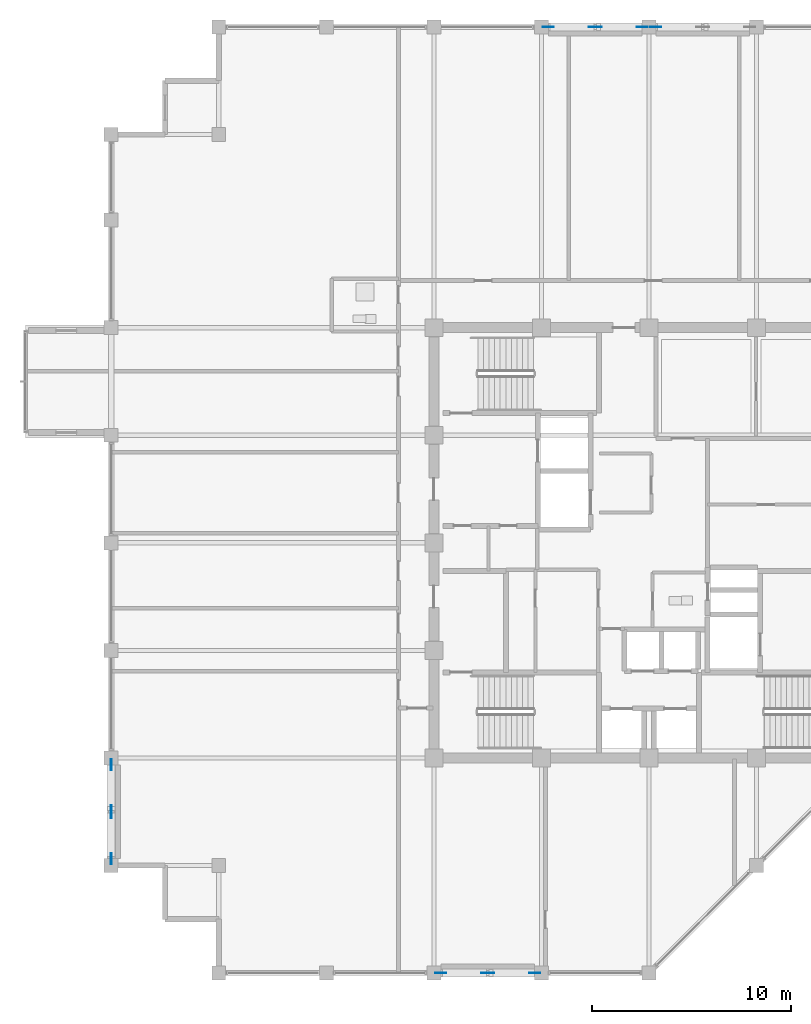
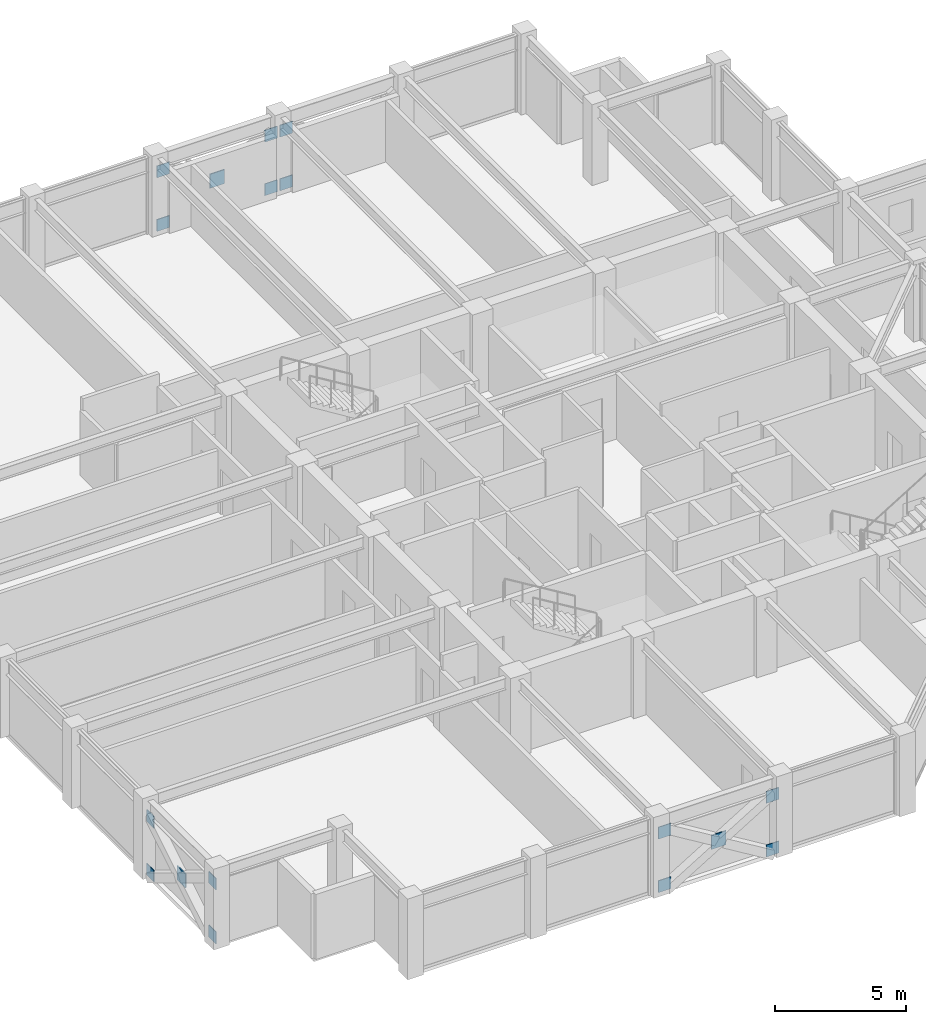
# One storey, part 23 of 31: 17 plates.
"""IFC4 building model written with IfcOpenShell, lengths in metres."""

import ifcopenshell
import ifcopenshell.guid

model = None  # the IFC model being written
_history = None  # IfcOwnerHistory: only IFC2X3 demands one
_inside = {}  # id of a spatial element -> (the spatial element, [elements in it])
_under = {}  # id of a project, library or spatial element -> (it, [spatial elements below it])
_declared = {}  # id of a project -> (the project, [libraries it declares])
_typed = {}  # id of a type object -> (the type object, [elements of that type])
_made_of = {}  # id of a material, layer set ... -> (it, [elements and type objects made of it])


def new_model(schema):
    """Start an empty IFC model of exactly this schema.

    Asked for "IFC4X3", IfcOpenShell would pick the latest addendum, in which some entities
    have other attributes; the version numbers below select the first issue.
    IFC2X3 requires an IfcOwnerHistory on every rooted entity: one is made here for all.
    """
    global model, _history
    if schema == "IFC4X3":
        model = ifcopenshell.file(schema_version=(4, 3, 0, 0))
    else:
        model = ifcopenshell.file(schema=schema)
    _inside.clear()
    _under.clear()
    _declared.clear()
    _typed.clear()
    _made_of.clear()
    _history = None
    if model.schema == "IFC2X3":
        org = make("IfcOrganization", Name="unknown")
        user = make(
            "IfcPersonAndOrganization",
            ThePerson=make("IfcPerson", FamilyName="unknown"),
            TheOrganization=org,
        )
        app = make(
            "IfcApplication",
            ApplicationDeveloper=org,
            Version="unknown",
            ApplicationFullName="unknown",
            ApplicationIdentifier="unknown",
        )
        _history = make(
            "IfcOwnerHistory",
            OwningUser=user,
            OwningApplication=app,
            ChangeAction="ADDED",
            CreationDate=0,
        )
    return model


def make(cls, **values):
    """One entity of the class cls with the attributes given. An attribute that is None is left unset."""
    return model.create_entity(
        cls, **{name: value for name, value in values.items() if value is not None}
    )


def rooted(cls, **values):
    """An entity with a GlobalId (a new one), such as an element, a storey or a relation."""
    return make(cls, GlobalId=ifcopenshell.guid.new(), OwnerHistory=_history, **values)


def si_unit(unit_type, name, prefix=None):
    """IfcSIUnit, for example si_unit("LENGTHUNIT", "METRE", prefix="MILLI")."""
    return make("IfcSIUnit", UnitType=unit_type, Prefix=prefix, Name=name)


def assignment(units):
    """IfcUnitAssignment: the units of a project."""
    return None if units is None else make("IfcUnitAssignment", Units=units)


def point(xyz):
    """IfcCartesianPoint."""
    return None if xyz is None else make("IfcCartesianPoint", Coordinates=xyz)


def direction(xyz):
    """IfcDirection."""
    return None if xyz is None else make("IfcDirection", DirectionRatios=xyz)


def frame(location, z_axis=None, x_axis=None):
    """IfcAxis2Placement3D, a coordinate frame: its origin and axes. An axis left out is left unset."""
    return make(
        "IfcAxis2Placement3D",
        Location=point(location),
        Axis=direction(z_axis),
        RefDirection=direction(x_axis),
    )


def frame_2d(location, x_axis=None):
    """IfcAxis2Placement2D, a coordinate frame in the plane: its origin and x axis."""
    return make(
        "IfcAxis2Placement2D", Location=point(location), RefDirection=direction(x_axis)
    )


def origin():
    """The frame at (0, 0, 0) with its axes left unset."""
    return frame((0.0, 0.0, 0.0))


def origin_2d():
    """The frame at (0, 0) in the plane with its x axis left unset."""
    return frame_2d((0.0, 0.0))


def place(relative_to, where):
    """IfcLocalPlacement: puts the frame where relative to a parent placement (None: the world)."""
    return make(
        "IfcLocalPlacement", PlacementRelTo=relative_to, RelativePlacement=where
    )


def context(
    kind, dimensions, precision=None, world=None, true_north=None, identifier=None
):
    """IfcGeometricRepresentationContext, for example the 3D "Model" context."""
    return make(
        "IfcGeometricRepresentationContext",
        ContextIdentifier=identifier,
        ContextType=kind,
        CoordinateSpaceDimension=dimensions,
        Precision=precision,
        WorldCoordinateSystem=world,
        TrueNorth=true_north,
    )


def subcontext(parent, identifier, kind, view, scale=None):
    """IfcGeometricRepresentationSubContext, for example "Body" below "Model"."""
    return make(
        "IfcGeometricRepresentationSubContext",
        ContextIdentifier=identifier,
        ContextType=kind,
        ParentContext=parent,
        TargetScale=scale,
        TargetView=view,
    )


def project(units=None, contexts=None):
    """IfcProject with its units and contexts."""
    return rooted(
        "IfcProject",
        Name="project",
        RepresentationContexts=contexts,
        UnitsInContext=assignment(units),
    )


def spatial(cls, under=None, at=None, **own):
    """A site, building, storey or space (cls), placed at a placement, below another one or the project."""
    s = rooted(cls, ObjectPlacement=at, **own)
    if under is not None:
        _under.setdefault(under.id(), (under, []))[1].append(s)
    return s


def profile(cls, at=None, kind="AREA", **sizes):
    """A parametric profile (cls). Its sizes go by their IFC names, for example OverallWidth=200.0."""
    return make(cls, ProfileType=kind, Position=at, **sizes)


def rectangle(**sizes):
    """IfcRectangleProfileDef."""
    return profile("IfcRectangleProfileDef", **sizes)


def extrude(swept, where, along, depth):
    """IfcExtrudedAreaSolid: the profile swept, set in the frame where, extruded along a direction by depth."""
    return make(
        "IfcExtrudedAreaSolid",
        SweptArea=swept,
        Position=where,
        ExtrudedDirection=direction(along),
        Depth=depth,
    )


def shape(context_of_items, identifier, shape_type, items):
    """IfcShapeRepresentation: the items that make up one representation, for example the "Body"."""
    return make(
        "IfcShapeRepresentation",
        ContextOfItems=context_of_items,
        RepresentationIdentifier=identifier,
        RepresentationType=shape_type,
        Items=items,
    )


def material(Name=None, Category=None):
    """IfcMaterial."""
    return make("IfcMaterial", Name=Name, Category=Category)


def layer(
    of_material, thickness, ventilated=None, Name=None, Category=None, Priority=None
):
    """IfcMaterialLayer: one layer of a wall or slab, of a material (None: an air gap)."""
    return make(
        "IfcMaterialLayer",
        Material=of_material,
        LayerThickness=thickness,
        IsVentilated=ventilated,
        Name=Name,
        Category=Category,
        Priority=Priority,
    )


def layer_set(layers, Name=None):
    """IfcMaterialLayerSet."""
    return make("IfcMaterialLayerSet", MaterialLayers=layers, LayerSetName=Name)


def made_of(thing, what):
    """Note that an element or type object is made of a material, layer set ...; save() writes the relation."""
    if what is not None:
        _made_of.setdefault(what.id(), (what, []))[1].append(thing)
    return thing


def type_object(cls, material=None, **own):
    """A type object (cls), such as IfcWallType, which elements share."""
    return made_of(rooted(cls, **own), material)


def element(
    cls,
    number,
    at=None,
    inside=None,
    cuts=None,
    type_object=None,
    material=None,
    context=None,
    identifier="Body",
    shape_type=None,
    held_by="IfcProductDefinitionShape",
    body=None,
    shapes=None,
    **own,
):
    """One element of the class cls, such as IfcWall. Its Tag is "e" and its number.

    at: its placement. inside: the storey or other place that contains it. cuts: it is an
    opening in that element (IfcRelVoidsElement). A single representation is given by context,
    identifier, shape_type and body (its items); several are given by shapes. held_by: the class
    of the entity that holds the representations. save() writes the other relations.
    """
    e = rooted(cls, Tag="e%d" % number, ObjectPlacement=at, **own)
    if body is not None:
        shapes = [shape(context, identifier, shape_type, body)]
    if shapes is not None:
        e.Representation = make(held_by, Representations=shapes)
    if inside is not None:
        _inside.setdefault(inside.id(), (inside, []))[1].append(e)
    if cuts is not None:
        rooted(
            "IfcRelVoidsElement", RelatingBuildingElement=cuts, RelatedOpeningElement=e
        )
    if type_object is not None:
        _typed.setdefault(type_object.id(), (type_object, []))[1].append(e)
    return made_of(e, material)


def aggregate(whole, parts):
    """IfcRelAggregates: a whole, such as a stair, and the parts it consists of."""
    return rooted("IfcRelAggregates", RelatingObject=whole, RelatedObjects=parts)


def save(model, path):
    """Write the relations noted so far, then the file.

    IfcRelAggregates (storeys below a building ...), IfcRelContainedInSpatialStructure (elements
    in a storey), IfcRelDefinesByType, IfcRelAssociatesMaterial and IfcRelDeclares: one each for
    every whole, place, type object, material and project.
    """
    for whole, parts in _under.values():
        aggregate(whole, parts)
    for where, things in _inside.values():
        rooted(
            "IfcRelContainedInSpatialStructure",
            RelatedElements=things,
            RelatingStructure=where,
        )
    for kind, things in _typed.values():
        rooted("IfcRelDefinesByType", RelatedObjects=things, RelatingType=kind)
    for what, things in _made_of.values():
        rooted("IfcRelAssociatesMaterial", RelatedObjects=things, RelatingMaterial=what)
    for by, libraries in _declared.values():
        rooted("IfcRelDeclares", RelatingContext=by, RelatedDefinitions=libraries)
    model.write(path)


model = new_model("IFC4")

# Units and contexts
model_context = context("Model", 3, precision=1e-05, world=origin(), true_north=direction((0.0, 1.0)))
body_context = subcontext(model_context, "Body", "Model", "MODEL_VIEW")
ifc_project = project(units=[si_unit("LENGTHUNIT", "METRE"), si_unit("AREAUNIT", "SQUARE_METRE"), si_unit("VOLUMEUNIT", "CUBIC_METRE"), si_unit("PLANEANGLEUNIT", "RADIAN"), si_unit("MASSUNIT", "GRAM", prefix="KILO")], contexts=[model_context])

# Site, building, storey
site_placement = place(None, origin())
site = spatial("IfcSite", under=ifc_project, at=site_placement, CompositionType="ELEMENT")
building_placement = place(site_placement, origin())
building = spatial("IfcBuilding", under=site, at=building_placement, Name="Surkhivell Harbour Commons", CompositionType="ELEMENT")
storey_placement = place(building_placement, frame((0.0, 0.0, 266.25)))
storey = spatial("IfcBuildingStorey", under=building, at=storey_placement, Name="L69", CompositionType="ELEMENT", Elevation=266.25)

# Plates
ifc_material = material(Name="Steel S460", Category="steel")
ifc_layer_1 = layer(ifc_material, 0.035888671875)
ifc_layer_set_1 = layer_set([ifc_layer_1], Name="Steel S460")
plate_type_1 = type_object("IfcPlateType", Name="PLT-GUS-550", PredefinedType="USERDEFINED", material=ifc_layer_set_1)
for number, where, z_axis, x_axis, name in (
    (1, (-5.06494140625, 25.89990234375, -0.07470703125), (0.0, 0.0, 1.0), (1.0, 0.0, 0.0), "L69 Perimeter Mega-Brace MB- Corner Gusset N-1"),
    (2, (-0.3349609375, 25.89990234375, -0.07470703125), (0.0, 0.0, 1.0), (1.0, 0.0, 0.0), "L69 Perimeter Mega-Brace MB- Corner Gusset N-2"),
    (3, (-5.06494140625, 25.89990234375, 2.41357421875), (0.0, 0.0, 1.0), (1.0, 0.0, 0.0), "L69 Perimeter Mega-Brace MB- Corner Gusset N-3"),
    (4, (-0.3349609375, 25.89990234375, 2.41357421875), (0.0, 0.0, 1.0), (1.0, 0.0, 0.0), "L69 Perimeter Mega-Brace MB- Corner Gusset N-4"),
    (5, (0.3349609375, 25.89990234375, -0.07470703125), (0.0, 0.0, 1.0), (1.0, 0.0, 0.0), "L69 Perimeter Mega-Brace MB- Corner Gusset N2-1"),
    (6, (0.3349609375, 25.89990234375, 2.41357421875), (0.0, 0.0, 1.0), (1.0, 0.0, 0.0), "L69 Perimeter Mega-Brace MB- Corner Gusset N2-3"),
    (7, (-10.465087890625, -21.60009765625, -0.07470703125), (0.0, 0.0, 1.0), (1.0, 0.0, 0.0), "L69 Perimeter Mega-Brace MB- Corner Gusset S-1"),
    (8, (-5.735107421875, -21.60009765625, -0.07470703125), (0.0, 0.0, 1.0), (1.0, 0.0, 0.0), "L69 Perimeter Mega-Brace MB- Corner Gusset S-2"),
    (9, (-10.465087890625, -21.60009765625, 2.41357421875), (0.0, 0.0, 1.0), (1.0, 0.0, 0.0), "L69 Perimeter Mega-Brace MB- Corner Gusset S-3"),
    (10, (-5.735107421875, -21.60009765625, 2.41357421875), (0.0, 0.0, 1.0), (1.0, 0.0, 0.0), "L69 Perimeter Mega-Brace MB- Corner Gusset S-4"),
    (11, (-27.0, -15.864990234375, -0.07470703125), (0.0, 0.0, 1.0), (0.0, 1.0, 0.0), "L69 Perimeter Mega-Brace MB- Corner Gusset W-1"),
    (12, (-27.0, -11.135009765625, -0.07470703125), (0.0, 0.0, 1.0), (0.0, 1.0, 0.0), "L69 Perimeter Mega-Brace MB- Corner Gusset W-2"),
    (13, (-27.0, -15.864990234375, 2.41357421875), (0.0, 0.0, 1.0), (0.0, 1.0, 0.0), "L69 Perimeter Mega-Brace MB- Corner Gusset W-3"),
    (14, (-27.0, -11.135009765625, 2.41357421875), (0.0, 0.0, 1.0), (0.0, 1.0, 0.0), "L69 Perimeter Mega-Brace MB- Corner Gusset W-4"),
):
    element("IfcPlate", number, at=place(storey_placement, frame(where, z_axis=z_axis, x_axis=x_axis)), inside=storey, type_object=plate_type_1, Name=name, ObjectType="GUSSET_PLATE", PredefinedType="USERDEFINED", context=body_context, shape_type="SweptSolid", body=[
        extrude(rectangle(XDim=0.550048828125, YDim=0.035888671875, at=origin_2d()), origin(), (0.0, 0.0, 1.0), 0.550048828125),
    ])
ifc_layer_2 = layer(ifc_material, 0.044921875)
ifc_layer_set_2 = layer_set([ifc_layer_2], Name="Steel S460")
plate_type_2 = type_object("IfcPlateType", Name="PLT-GUS-650", PredefinedType="USERDEFINED", material=ifc_layer_set_2)
for number, where, z_axis, x_axis, name in (
    (15, (-2.699951171875, 25.89990234375, 1.11962890625), (0.0, 0.0, 1.0), (1.0, 0.0, 0.0), "L69 Perimeter Mega-Brace MB- Central Crossing Gusset N"),
    (16, (-8.10009765625, -21.60009765625, 1.11962890625), (0.0, 0.0, 1.0), (1.0, 0.0, 0.0), "L69 Perimeter Mega-Brace MB- Central Crossing Gusset S"),
    (17, (-27.0, -13.5, 1.11962890625), (0.0, 0.0, 1.0), (0.0, 1.0, 0.0), "L69 Perimeter Mega-Brace MB- Central Crossing Gusset W"),
):
    element("IfcPlate", number, at=place(storey_placement, frame(where, z_axis=z_axis, x_axis=x_axis)), inside=storey, type_object=plate_type_2, Name=name, ObjectType="GUSSET_PLATE", PredefinedType="USERDEFINED", context=body_context, shape_type="SweptSolid", body=[
        extrude(rectangle(XDim=0.64990234375, YDim=0.044921875, at=origin_2d()), origin(), (0.0, 0.0, 1.0), 0.64990234375),
    ])

save(model, "model.ifc")
